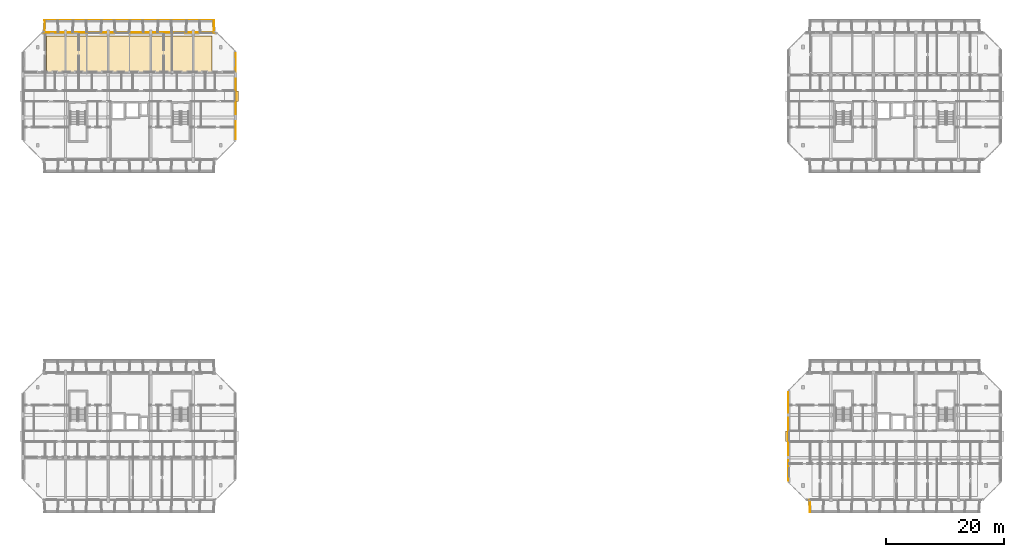
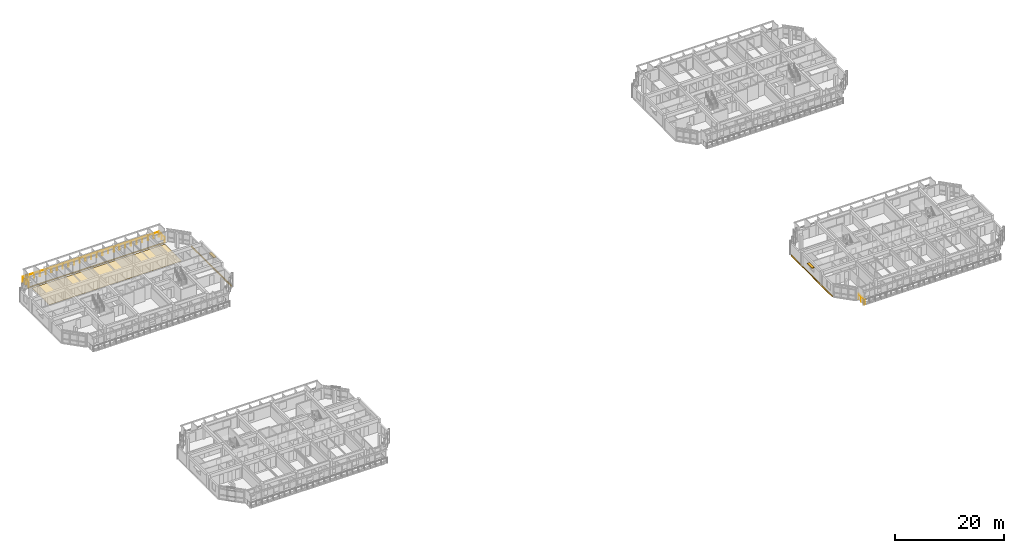
# One storey, part 40 of 45: 4 coverings, 4 railings, 2 shading devices.
"""IFC4 building model written with IfcOpenShell, lengths in metres."""

from ifc_helpers import new_model, si_unit, direction, frame, origin, origin_2d, place, context, subcontext, project, spatial, polyline, rectangle, circle, outline, extrude, material, layer, layer_set, type_object, element, save


model = new_model("IFC4")

# Units and contexts
model_context = context("Model", 3, precision=1e-05, world=origin(), true_north=direction((0.0, 1.0)))
body_context = subcontext(model_context, "Body", "Model", "MODEL_VIEW")
ifc_project = project(units=[si_unit("LENGTHUNIT", "METRE"), si_unit("AREAUNIT", "SQUARE_METRE"), si_unit("VOLUMEUNIT", "CUBIC_METRE"), si_unit("PLANEANGLEUNIT", "RADIAN"), si_unit("MASSUNIT", "GRAM", prefix="KILO")], contexts=[model_context])

# Site, building, storey
site_placement = place(None, origin())
site = spatial("IfcSite", under=ifc_project, at=site_placement, CompositionType="ELEMENT")
building_placement = place(site_placement, origin())
building = spatial("IfcBuilding", under=site, at=building_placement, Name="Ochrevale Crest", CompositionType="ELEMENT")
storey_placement = place(building_placement, frame((0.0, 0.0, 18.14990234375)))
storey = spatial("IfcBuildingStorey", under=building, at=storey_placement, Name="L05", CompositionType="ELEMENT", Elevation=18.14990234375)

# Coverings
ifc_material_1 = material(Name="Glazed terracotta rainscreen tile", Category="masonry")
ifc_layer_1 = layer(ifc_material_1, 0.048095703125)
ifc_layer_set_1 = layer_set([ifc_layer_1], Name="Glazed terracotta rainscreen tile")
covering_type_1 = type_object("IfcCoveringType", Name="COV-CLAD-TER", PredefinedType="CLADDING", material=ifc_layer_set_1)
covering_1_placement = place(storey_placement, frame((36.014404296875, 82.800048828125, -0.259765625), z_axis=(0.0, 0.0, 1.0), x_axis=(0.0, 1.0, 0.0)))
element("IfcCovering", 1, at=covering_1_placement, inside=storey, type_object=covering_type_1, Name="Block B L05 terracotta slab-edge spandrel cladding", PredefinedType="CLADDING", context=body_context, shape_type="SweptSolid", body=[
    extrude(rectangle(XDim=14.60009765625, YDim=0.06005859375, at=origin_2d()), origin(), (0.0, 0.0, 1.0), 0.280029296875),
])
covering_2_placement = place(storey_placement, frame((18.0, 93.612548828125, -0.259765625), z_axis=(0.0, 0.0, 1.0), x_axis=(-1.0, 0.0, 0.0)))
element("IfcCovering", 2, at=covering_2_placement, inside=storey, type_object=covering_type_1, Name="Block B L05 terracotta slab-edge spandrel cladding", PredefinedType="CLADDING", context=body_context, shape_type="SweptSolid", body=[
    extrude(rectangle(XDim=29.0, YDim=0.06005859375, at=origin_2d()), origin(), (0.0, 0.0, 1.0), 0.280029296875),
])
covering_3_placement = place(storey_placement, frame((129.58544921875, 25.199951171875, -0.259765625), z_axis=(0.0, 0.0, 1.0), x_axis=(0.0, -1.0, 0.0)))
element("IfcCovering", 3, at=covering_3_placement, inside=storey, type_object=covering_type_1, Name="Block C L05 terracotta slab-edge spandrel cladding", PredefinedType="CLADDING", context=body_context, shape_type="SweptSolid", body=[
    extrude(rectangle(XDim=15.0, YDim=0.06005859375, at=origin_2d()), origin(), (0.0, 0.0, 1.0), 0.280029296875),
])
ifc_material_2 = material(Name="Engineered spotted-gum hardwood flooring", Category="wood")
ifc_layer_2 = layer(ifc_material_2, 0.02001953125)
ifc_layer_set_2 = layer_set([ifc_layer_2], Name="Engineered spotted-gum hardwood flooring")
covering_type_2 = type_object("IfcCoveringType", Name="COV-FLR-TIM", PredefinedType="FLOORING", material=ifc_layer_set_2)
covering_4_placement = place(storey_placement, origin())
element("IfcCovering", 4, at=covering_4_placement, inside=storey, type_object=covering_type_2, Name="Block B L05 spotted-gum apartment flooring", PredefinedType="FLOORING", context=body_context, shape_type="SweptSolid", body=[
    extrude(outline(polyline([(4.0, 86.800048828125), (32.0, 86.800048828125), (32.0, 93.0), (4.0, 93.0), (4.0, 86.800048828125)])), origin(), (0.0, 0.0, 1.0), 0.02001953125),
])

# Railings
ifc_material_3 = material(Name="Galvanised steel", Category="steel")
railing_type = type_object("IfcRailingType", Name="RL-BAL-1100", PredefinedType="BALUSTRADE", material=ifc_material_3)
railing_1_placement = place(storey_placement, frame((3.60009765625, 95.639892578125, 0.0)))
element("IfcRailing", 5, at=railing_1_placement, inside=storey, type_object=railing_type, Name="Block B L05 N balcony front balustrade", PredefinedType="BALUSTRADE", context=body_context, shape_type="SweptSolid", body=[
    extrude(circle(Radius=0.02392578125, at=origin_2d()), frame((0.0, 0.0, 1.0859375), z_axis=(1.0, 0.0, 0.0), x_axis=(0.0, 1.0, 0.0)), (0.0, 0.0, 1.0), 28.7998046875),
    extrude(circle(Radius=0.02099609375, at=origin_2d()), origin(), (0.0, 0.0, 1.0), 1.06201171875),
    extrude(circle(Radius=0.02099609375, at=origin_2d()), frame((1.199951171875, 0.0, 0.0)), (0.0, 0.0, 1.0), 1.06201171875),
    extrude(circle(Radius=0.02099609375, at=origin_2d()), frame((2.39990234375, 0.0, 0.0)), (0.0, 0.0, 1.0), 1.06201171875),
    extrude(circle(Radius=0.02099609375, at=origin_2d()), frame((3.60009765625, 0.0, 0.0)), (0.0, 0.0, 1.0), 1.06201171875),
    extrude(circle(Radius=0.02099609375, at=origin_2d()), frame((4.800048828125, 0.0, 0.0)), (0.0, 0.0, 1.0), 1.06201171875),
    extrude(circle(Radius=0.02099609375, at=origin_2d()), frame((6.0, 0.0, 0.0)), (0.0, 0.0, 1.0), 1.06201171875),
    extrude(circle(Radius=0.02099609375, at=origin_2d()), frame((7.199951171875, 0.0, 0.0)), (0.0, 0.0, 1.0), 1.06201171875),
    extrude(circle(Radius=0.02099609375, at=origin_2d()), frame((8.39990234375, 0.0, 0.0)), (0.0, 0.0, 1.0), 1.06201171875),
    extrude(circle(Radius=0.02099609375, at=origin_2d()), frame((9.599853515625, 0.0, 0.0)), (0.0, 0.0, 1.0), 1.06201171875),
    extrude(circle(Radius=0.02099609375, at=origin_2d()), frame((10.7998046875, 0.0, 0.0)), (0.0, 0.0, 1.0), 1.06201171875),
    extrude(circle(Radius=0.02099609375, at=origin_2d()), frame((12.0, 0.0, 0.0)), (0.0, 0.0, 1.0), 1.06201171875),
    extrude(circle(Radius=0.02099609375, at=origin_2d()), frame((13.199951171875, 0.0, 0.0)), (0.0, 0.0, 1.0), 1.06201171875),
    extrude(circle(Radius=0.02099609375, at=origin_2d()), frame((14.39990234375, 0.0, 0.0)), (0.0, 0.0, 1.0), 1.06201171875),
    extrude(circle(Radius=0.02099609375, at=origin_2d()), frame((15.599853515625, 0.0, 0.0)), (0.0, 0.0, 1.0), 1.06201171875),
    extrude(circle(Radius=0.02099609375, at=origin_2d()), frame((16.7998046875, 0.0, 0.0)), (0.0, 0.0, 1.0), 1.06201171875),
    extrude(circle(Radius=0.02099609375, at=origin_2d()), frame((18.0, 0.0, 0.0)), (0.0, 0.0, 1.0), 1.06201171875),
    extrude(circle(Radius=0.02099609375, at=origin_2d()), frame((19.199951171875, 0.0, 0.0)), (0.0, 0.0, 1.0), 1.06201171875),
    extrude(circle(Radius=0.02099609375, at=origin_2d()), frame((20.39990234375, 0.0, 0.0)), (0.0, 0.0, 1.0), 1.06201171875),
    extrude(circle(Radius=0.02099609375, at=origin_2d()), frame((21.599853515625, 0.0, 0.0)), (0.0, 0.0, 1.0), 1.06201171875),
    extrude(circle(Radius=0.02099609375, at=origin_2d()), frame((22.7998046875, 0.0, 0.0)), (0.0, 0.0, 1.0), 1.06201171875),
    extrude(circle(Radius=0.02099609375, at=origin_2d()), frame((23.999755859375, 0.0, 0.0)), (0.0, 0.0, 1.0), 1.06201171875),
    extrude(circle(Radius=0.02099609375, at=origin_2d()), frame((25.19970703125, 0.0, 0.0)), (0.0, 0.0, 1.0), 1.06201171875),
    extrude(circle(Radius=0.02099609375, at=origin_2d()), frame((26.39990234375, 0.0, 0.0)), (0.0, 0.0, 1.0), 1.06201171875),
    extrude(circle(Radius=0.02099609375, at=origin_2d()), frame((27.599853515625, 0.0, 0.0)), (0.0, 0.0, 1.0), 1.06201171875),
    extrude(circle(Radius=0.02099609375, at=origin_2d()), frame((28.7998046875, 0.0, 0.0)), (0.0, 0.0, 1.0), 1.06201171875),
])
for number, where, name in (
    (6, (3.659912109375, 93.60009765625, 0.0), "Block B L05 N-W balcony side guard"),
    (7, (32.340087890625, 93.60009765625, 0.0), "Block B L05 N-E balcony side guard"),
):
    element("IfcRailing", number, at=place(storey_placement, frame(where)), inside=storey, type_object=railing_type, Name=name, PredefinedType="BALUSTRADE", context=body_context, shape_type="SweptSolid", body=[
        extrude(circle(Radius=0.02392578125, at=origin_2d()), frame((0.0, 0.0, 1.0859375), z_axis=(0.0, 1.0, 0.0), x_axis=(-1.0, 0.0, 0.0)), (0.0, 0.0, 1.0), 2.039794921875),
        extrude(circle(Radius=0.02099609375, at=origin_2d()), origin(), (0.0, 0.0, 1.0), 1.06201171875),
        extrude(circle(Radius=0.02099609375, at=origin_2d()), frame((0.0, 1.02001953125, 0.0)), (0.0, 0.0, 1.0), 1.06201171875),
        extrude(circle(Radius=0.02099609375, at=origin_2d()), frame((0.0, 2.039794921875, 0.0)), (0.0, 0.0, 1.0), 1.06201171875),
    ])
railing_2_placement = place(storey_placement, frame((133.260009765625, 14.39990234375, 0.0)))
element("IfcRailing", 8, at=railing_2_placement, inside=storey, type_object=railing_type, Name="Block C L05 S-W balcony side guard", PredefinedType="BALUSTRADE", context=body_context, shape_type="SweptSolid", body=[
    extrude(circle(Radius=0.02392578125, at=origin_2d()), frame((0.0, 0.0, 1.0859375), z_axis=(0.0, -1.0, 0.0), x_axis=(1.0, 0.0, 0.0)), (0.0, 0.0, 1.0), 2.039794921875),
    extrude(circle(Radius=0.02099609375, at=origin_2d()), origin(), (0.0, 0.0, 1.0), 1.06201171875),
    extrude(circle(Radius=0.02099609375, at=origin_2d()), frame((0.0, -1.02001953125, 0.0)), (0.0, 0.0, 1.0), 1.06201171875),
    extrude(circle(Radius=0.02099609375, at=origin_2d()), frame((0.0, -2.039794921875, 0.0)), (0.0, 0.0, 1.0), 1.06201171875),
])

# Shading devices
ifc_material_4 = material(Name="Anodised aluminium 6063-T5", Category="aluminium")
shading_device_type = type_object("IfcShadingDeviceType", Name="SHD-SUNSHADE-OC", PredefinedType="USERDEFINED", material=ifc_material_4)
for number, where, z_axis, x_axis, name in (
    (9, (36.239990234375, 82.800048828125, 2.2099609375), (0.0, 0.0, 1.0), (1.0, 0.0, 0.0), "Block B L05 gable window sunshade E"),
    (10, (129.360107421875, 25.199951171875, 2.2099609375), (0.0, 0.0, 1.0), (1.0, 0.0, 0.0), "Block C L05 gable window sunshade W"),
):
    element("IfcShadingDevice", number, at=place(storey_placement, frame(where, z_axis=z_axis, x_axis=x_axis)), inside=storey, type_object=shading_device_type, Name=name, ObjectType="HORIZONTAL SUNSHADE", PredefinedType="USERDEFINED", context=body_context, shape_type="SweptSolid", body=[
        extrude(rectangle(XDim=0.550048828125, YDim=1.800048828125, at=origin_2d()), origin(), (0.0, 0.0, 1.0), 0.139892578125),
    ])

save(model, "model.ifc")
